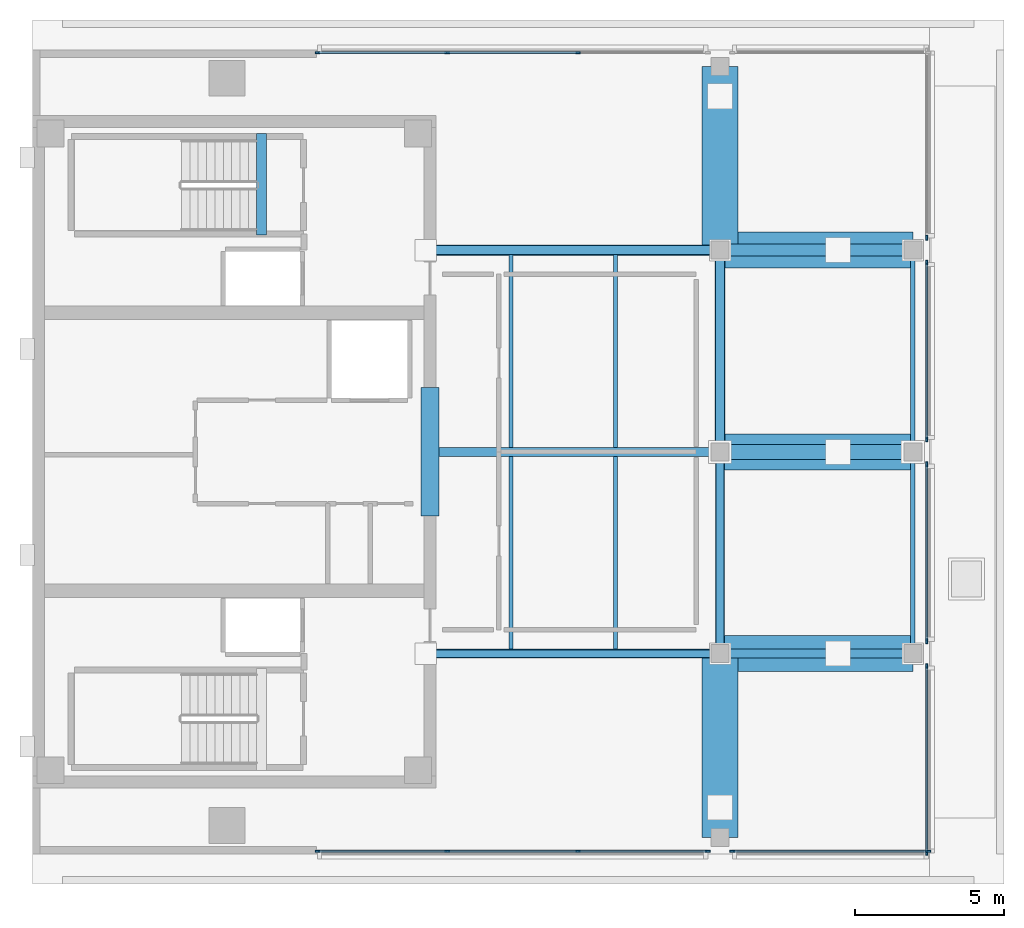
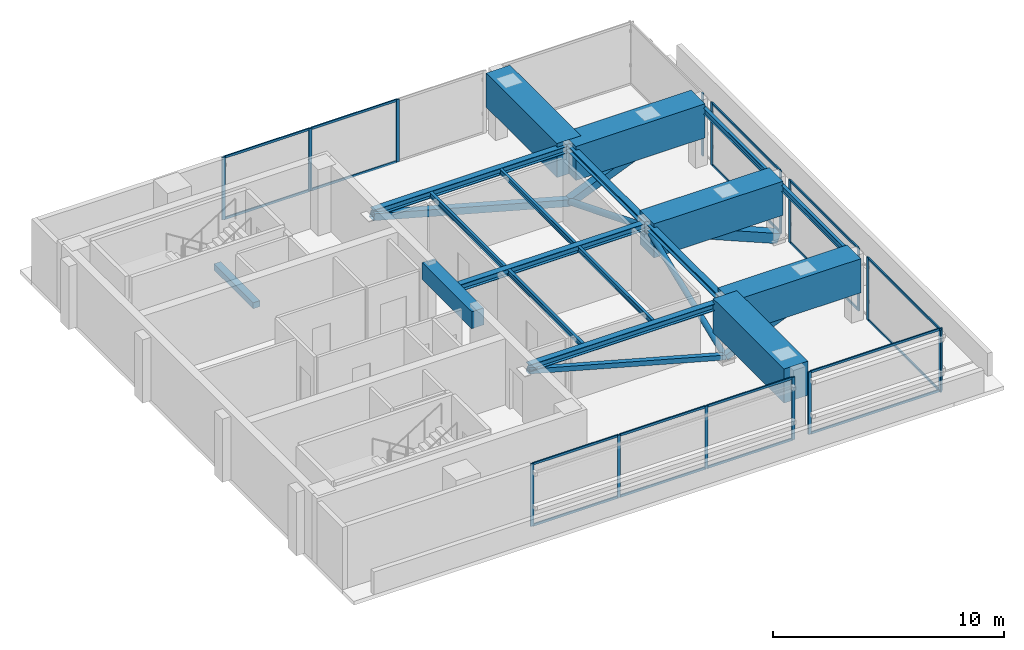
# One storey, part 2 of 9: 41 members, 18 beams, 7 elements without a shape of their own.
"""IFC4 building model written with IfcOpenShell, lengths in metres."""

from ifc_helpers import new_model, si_unit, direction, frame, origin, origin_2d, place, context, subcontext, project, spatial, rectangle, hollow_rectangle, hollow_circle, i_section, extrude, material, layer, layer_set, material_profile, profile_set, type_object, element, aggregate, save


model = new_model("IFC4")

# Units and contexts
model_context = context("Model", 3, precision=1e-05, world=origin(), true_north=direction((0.0, 1.0)))
body_context = subcontext(model_context, "Body", "Model", "MODEL_VIEW")
ifc_project = project(units=[si_unit("LENGTHUNIT", "METRE"), si_unit("AREAUNIT", "SQUARE_METRE"), si_unit("VOLUMEUNIT", "CUBIC_METRE"), si_unit("PLANEANGLEUNIT", "RADIAN"), si_unit("MASSUNIT", "GRAM", prefix="KILO")], contexts=[model_context])

# Site, building, storey
site_placement = place(None, origin())
site = spatial("IfcSite", under=ifc_project, at=site_placement, CompositionType="ELEMENT")
building_placement = place(site_placement, origin())
building = spatial("IfcBuilding", under=site, at=building_placement, Name="Kinhvarn Gate Tower", CompositionType="ELEMENT")
storey_placement = place(building_placement, frame((0.0, 0.0, 314.550048828125)))
storey = spatial("IfcBuildingStorey", under=building, at=storey_placement, Name="L83", CompositionType="ELEMENT", Elevation=314.550048828125)

# Beams
ifc_material_1 = material(Name="Concrete C60/75", Category="concrete")
ifc_material_profile_1 = material_profile(ifc_material_1, rectangle(XDim=0.60009765625, YDim=0.89990234375, at=origin_2d()), Name="RC 600x900")
ifc_profile_set_1 = profile_set([ifc_material_profile_1], Name="Concrete C60/75")
beam_type_1 = type_object("IfcBeamType", Name="BM-CB-900", PredefinedType="LINTEL", material=ifc_profile_set_1)
beam_1_placement = place(storey_placement, frame((17.800048828125, 23.10009765625, 2.849853515625), z_axis=(0.0, 1.0, 0.0), x_axis=(-1.0, 0.0, 0.0)))
element("IfcBeam", 1, at=beam_1_placement, inside=storey, type_object=beam_type_1, Name="Core East Portal Coupling Beam L83", PredefinedType="LINTEL", context=body_context, shape_type="SweptSolid", body=[
    extrude(rectangle(XDim=0.60009765625, YDim=0.89990234375, at=origin_2d()), origin(), (0.0, 0.0, 1.0), 4.2998046875),
])
ifc_material_2 = material(Name="Concrete C50/60", Category="concrete")
ifc_material_profile_2 = material_profile(ifc_material_2, rectangle(XDim=0.340087890625, YDim=0.320068359375, at=origin_2d()), Name="RC 340x320")
ifc_profile_set_2 = profile_set([ifc_material_profile_2], Name="Concrete C50/60")
beam_type_2 = type_object("IfcBeamType", Name="BM-LND-500", PredefinedType="BEAM", material=ifc_profile_set_2)
beam_2_placement = place(storey_placement, frame((12.1650390625, 32.5, -0.16015625), z_axis=(0.0, 1.0, 0.0), x_axis=(-1.0, 0.0, 0.0)))
element("IfcBeam", 2, at=beam_2_placement, inside=storey, type_object=beam_type_2, Name="Stair ST2 Landing Nosing Beam (L83)", PredefinedType="BEAM", context=body_context, shape_type="SweptSolid", body=[
    extrude(rectangle(XDim=0.340087890625, YDim=0.320068359375, at=origin_2d()), origin(), (0.0, 0.0, 1.0), 3.39990234375),
])
ifc_material_profile_3 = material_profile(ifc_material_2, rectangle(XDim=1.199951171875, YDim=1.800048828125, at=origin_2d()), Name="RC 1200x1800")
ifc_profile_set_3 = profile_set([ifc_material_profile_3], Name="Concrete C50/60")
beam_type_3 = type_object("IfcBeamType", Name="BM-TG-1800", PredefinedType="BEAM", material=ifc_profile_set_3)
for number, where, z_axis, x_axis, name in (
    (3, (27.5, 18.5, 2.599853515625), (1.0, 0.0, 0.0), (0.0, 1.0, 0.0), "Setback Transfer Girder TG-03-L84-CCR-E1"),
    (4, (27.5, 25.25, 2.599853515625), (1.0, 0.0, 0.0), (0.0, 1.0, 0.0), "Setback Transfer Girder TG-03-L84-CCR-E2"),
    (5, (27.5, 32.0, 2.599853515625), (1.0, 0.0, 0.0), (0.0, 1.0, 0.0), "Setback Transfer Girder TG-03-L84-CCR-E3"),
):
    element("IfcBeam", number, at=place(storey_placement, frame(where, z_axis=z_axis, x_axis=x_axis)), inside=storey, type_object=beam_type_3, Name=name, PredefinedType="BEAM", context=body_context, shape_type="SweptSolid", body=[
        extrude(rectangle(XDim=1.199951171875, YDim=1.800048828125, at=origin_2d()), origin(), (0.0, 0.0, 1.0), 6.449951171875),
    ])
for number, where, z_axis, x_axis, name in (
    (6, (27.5, 12.35009765625, 2.599853515625), (0.0, 1.0, 0.0), (-1.0, 0.0, 0.0), "Setback Transfer Girder TG-03-L84-CCR-S1"),
    (7, (27.5, 32.0, 2.599853515625), (0.0, 1.0, 0.0), (-1.0, 0.0, 0.0), "Setback Transfer Girder TG-03-L84-CCR-N1"),
):
    element("IfcBeam", number, at=place(storey_placement, frame(where, z_axis=z_axis, x_axis=x_axis)), inside=storey, type_object=beam_type_3, Name=name, PredefinedType="BEAM", context=body_context, shape_type="SweptSolid", body=[
        extrude(rectangle(XDim=1.199951171875, YDim=1.800048828125, at=origin_2d()), origin(), (0.0, 0.0, 1.0), 6.14990234375),
    ])

# Curtain wall, members
ifc_material_3 = material(Name="Anodised aluminium AW-6063", Category="aluminium")
ifc_layer = layer(ifc_material_3, 0.199951171875)
ifc_layer_set = layer_set([ifc_layer], Name="Anodised aluminium AW-6063")
curtain_wall_type = type_object("IfcCurtainWallType", Name="CW-SYS-6", PredefinedType="NOTDEFINED", material=ifc_layer_set)
curtain_wall_1_placement = place(storey_placement, origin())
curtain_wall_1 = element("IfcCurtainWall", 8, at=curtain_wall_1_placement, inside=storey, type_object=curtain_wall_type, Name="Curtain Wall CW6 (L83)", PredefinedType="NOTDEFINED")
ifc_material_profile_4 = material_profile(ifc_material_3, rectangle(XDim=0.06494140625, YDim=0.159912109375, at=origin_2d()), Name="ALU 65x160")
ifc_profile_set_4 = profile_set([ifc_material_profile_4], Name="Anodised aluminium AW-6063")
member_type_1 = type_object("IfcMemberType", Name="CW-MUL-160", PredefinedType="MULLION", material=ifc_profile_set_4)
member_1_placement = place(storey_placement, frame((14.032470703125, 11.889892578125, 0.0), z_axis=(0.0, 0.0, 1.0), x_axis=(0.0, 1.0, 0.0)))
member_1 = element("IfcMember", 9, at=member_1_placement, type_object=member_type_1, Name="CW6 mullion 1", PredefinedType="MULLION", context=body_context, shape_type="SweptSolid", body=[
    extrude(rectangle(XDim=0.06494140625, YDim=0.159912109375, at=origin_2d()), origin(), (0.0, 0.0, 1.0), 3.300048828125),
])
member_2_placement = place(storey_placement, frame((18.373291015625, 11.889892578125, 0.0), z_axis=(0.0, 0.0, 1.0), x_axis=(0.0, 1.0, 0.0)))
member_2 = element("IfcMember", 10, at=member_2_placement, type_object=member_type_1, Name="CW6 mullion 2", PredefinedType="MULLION", context=body_context, shape_type="SweptSolid", body=[
    extrude(rectangle(XDim=0.06494140625, YDim=0.159912109375, at=origin_2d()), origin(), (0.0, 0.0, 1.0), 3.300048828125),
])
member_3_placement = place(storey_placement, frame((22.74658203125, 11.889892578125, 0.0), z_axis=(0.0, 0.0, 1.0), x_axis=(0.0, 1.0, 0.0)))
member_3 = element("IfcMember", 11, at=member_3_placement, type_object=member_type_1, Name="CW6 mullion 3", PredefinedType="MULLION", context=body_context, shape_type="SweptSolid", body=[
    extrude(rectangle(XDim=0.06494140625, YDim=0.159912109375, at=origin_2d()), origin(), (0.0, 0.0, 1.0), 3.300048828125),
])
member_4_placement = place(storey_placement, frame((27.08740234375, 11.889892578125, 0.0), z_axis=(0.0, 0.0, 1.0), x_axis=(0.0, 1.0, 0.0)))
member_4 = element("IfcMember", 12, at=member_4_placement, type_object=member_type_1, Name="CW6 mullion 4", PredefinedType="MULLION", context=body_context, shape_type="SweptSolid", body=[
    extrude(rectangle(XDim=0.06494140625, YDim=0.159912109375, at=origin_2d()), origin(), (0.0, 0.0, 1.0), 3.300048828125),
])

curtain_wall_2_placement = place(storey_placement, origin())
curtain_wall_2 = element("IfcCurtainWall", 13, at=curtain_wall_2_placement, inside=storey, type_object=curtain_wall_type, Name="Curtain Wall CW6 (L83)", PredefinedType="NOTDEFINED")
member_5_placement = place(storey_placement, frame((27.91259765625, 11.889892578125, 0.0), z_axis=(0.0, 0.0, 1.0), x_axis=(0.0, 1.0, 0.0)))
member_5 = element("IfcMember", 14, at=member_5_placement, type_object=member_type_1, Name="CW6 mullion 1", PredefinedType="MULLION", context=body_context, shape_type="SweptSolid", body=[
    extrude(rectangle(XDim=0.06494140625, YDim=0.159912109375, at=origin_2d()), origin(), (0.0, 0.0, 1.0), 3.300048828125),
])
member_6_placement = place(storey_placement, frame((34.467529296875, 11.889892578125, 0.0), z_axis=(0.0, 0.0, 1.0), x_axis=(0.0, 1.0, 0.0)))
member_6 = element("IfcMember", 15, at=member_6_placement, type_object=member_type_1, Name="CW6 mullion 2", PredefinedType="MULLION", context=body_context, shape_type="SweptSolid", body=[
    extrude(rectangle(XDim=0.06494140625, YDim=0.159912109375, at=origin_2d()), origin(), (0.0, 0.0, 1.0), 3.300048828125),
])

curtain_wall_3_placement = place(storey_placement, origin())
curtain_wall_3 = element("IfcCurtainWall", 16, at=curtain_wall_3_placement, inside=storey, type_object=curtain_wall_type, Name="Curtain Wall CW6 (L83)", PredefinedType="NOTDEFINED")
member_7_placement = place(storey_placement, frame((22.74658203125, 38.610107421875, 0.0), z_axis=(0.0, 0.0, 1.0), x_axis=(0.0, -1.0, 0.0)))
member_7 = element("IfcMember", 17, at=member_7_placement, type_object=member_type_1, Name="CW6 mullion 2", PredefinedType="MULLION", context=body_context, shape_type="SweptSolid", body=[
    extrude(rectangle(XDim=0.06494140625, YDim=0.159912109375, at=origin_2d()), origin(), (0.0, 0.0, 1.0), 3.300048828125),
])
member_8_placement = place(storey_placement, frame((18.373291015625, 38.610107421875, 0.0), z_axis=(0.0, 0.0, 1.0), x_axis=(0.0, -1.0, 0.0)))
member_8 = element("IfcMember", 18, at=member_8_placement, type_object=member_type_1, Name="CW6 mullion 3", PredefinedType="MULLION", context=body_context, shape_type="SweptSolid", body=[
    extrude(rectangle(XDim=0.06494140625, YDim=0.159912109375, at=origin_2d()), origin(), (0.0, 0.0, 1.0), 3.300048828125),
])
member_9_placement = place(storey_placement, frame((14.032470703125, 38.610107421875, 0.0), z_axis=(0.0, 0.0, 1.0), x_axis=(0.0, -1.0, 0.0)))
member_9 = element("IfcMember", 19, at=member_9_placement, type_object=member_type_1, Name="CW6 mullion 4", PredefinedType="MULLION", context=body_context, shape_type="SweptSolid", body=[
    extrude(rectangle(XDim=0.06494140625, YDim=0.159912109375, at=origin_2d()), origin(), (0.0, 0.0, 1.0), 3.300048828125),
])

curtain_wall_4_placement = place(storey_placement, origin())
curtain_wall_4 = element("IfcCurtainWall", 20, at=curtain_wall_4_placement, inside=storey, type_object=curtain_wall_type, Name="Curtain Wall CW6 (L83)", PredefinedType="NOTDEFINED")
member_10_placement = place(storey_placement, frame((34.409912109375, 11.83251953125, 0.0), z_axis=(0.0, 0.0, 1.0), x_axis=(-1.0, 0.0, 0.0)))
member_10 = element("IfcMember", 21, at=member_10_placement, type_object=member_type_1, Name="CW6 mullion 1", PredefinedType="MULLION", context=body_context, shape_type="SweptSolid", body=[
    extrude(rectangle(XDim=0.06494140625, YDim=0.159912109375, at=origin_2d()), origin(), (0.0, 0.0, 1.0), 3.300048828125),
])
member_11_placement = place(storey_placement, frame((34.409912109375, 18.08740234375, 0.0), z_axis=(0.0, 0.0, 1.0), x_axis=(-1.0, 0.0, 0.0)))
member_11 = element("IfcMember", 22, at=member_11_placement, type_object=member_type_1, Name="CW6 mullion 2", PredefinedType="MULLION", context=body_context, shape_type="SweptSolid", body=[
    extrude(rectangle(XDim=0.06494140625, YDim=0.159912109375, at=origin_2d()), origin(), (0.0, 0.0, 1.0), 3.300048828125),
])

curtain_wall_5_placement = place(storey_placement, origin())
curtain_wall_5 = element("IfcCurtainWall", 23, at=curtain_wall_5_placement, inside=storey, type_object=curtain_wall_type, Name="Curtain Wall CW6 (L83)", PredefinedType="NOTDEFINED")
member_12_placement = place(storey_placement, frame((34.409912109375, 18.91259765625, 0.0), z_axis=(0.0, 0.0, 1.0), x_axis=(-1.0, 0.0, 0.0)))
member_12 = element("IfcMember", 24, at=member_12_placement, type_object=member_type_1, Name="CW6 mullion 1", PredefinedType="MULLION", context=body_context, shape_type="SweptSolid", body=[
    extrude(rectangle(XDim=0.06494140625, YDim=0.159912109375, at=origin_2d()), origin(), (0.0, 0.0, 1.0), 3.300048828125),
])
member_13_placement = place(storey_placement, frame((34.409912109375, 24.83740234375, 0.0), z_axis=(0.0, 0.0, 1.0), x_axis=(-1.0, 0.0, 0.0)))
member_13 = element("IfcMember", 25, at=member_13_placement, type_object=member_type_1, Name="CW6 mullion 2", PredefinedType="MULLION", context=body_context, shape_type="SweptSolid", body=[
    extrude(rectangle(XDim=0.06494140625, YDim=0.159912109375, at=origin_2d()), origin(), (0.0, 0.0, 1.0), 3.300048828125),
])

curtain_wall_6_placement = place(storey_placement, origin())
curtain_wall_6 = element("IfcCurtainWall", 26, at=curtain_wall_6_placement, inside=storey, type_object=curtain_wall_type, Name="Curtain Wall CW6 (L83)", PredefinedType="NOTDEFINED")
member_14_placement = place(storey_placement, frame((34.409912109375, 25.66259765625, 0.0), z_axis=(0.0, 0.0, 1.0), x_axis=(-1.0, 0.0, 0.0)))
member_14 = element("IfcMember", 27, at=member_14_placement, type_object=member_type_1, Name="CW6 mullion 1", PredefinedType="MULLION", context=body_context, shape_type="SweptSolid", body=[
    extrude(rectangle(XDim=0.06494140625, YDim=0.159912109375, at=origin_2d()), origin(), (0.0, 0.0, 1.0), 3.300048828125),
])
member_15_placement = place(storey_placement, frame((34.409912109375, 31.58740234375, 0.0), z_axis=(0.0, 0.0, 1.0), x_axis=(-1.0, 0.0, 0.0)))
member_15 = element("IfcMember", 28, at=member_15_placement, type_object=member_type_1, Name="CW6 mullion 2", PredefinedType="MULLION", context=body_context, shape_type="SweptSolid", body=[
    extrude(rectangle(XDim=0.06494140625, YDim=0.159912109375, at=origin_2d()), origin(), (0.0, 0.0, 1.0), 3.300048828125),
])

# Curtain wall, member
curtain_wall_7_placement = place(storey_placement, origin())
curtain_wall_7 = element("IfcCurtainWall", 29, at=curtain_wall_7_placement, inside=storey, type_object=curtain_wall_type, Name="Curtain Wall CW6 (L83)", PredefinedType="NOTDEFINED")
member_16_placement = place(storey_placement, frame((34.409912109375, 32.41259765625, 0.0), z_axis=(0.0, 0.0, 1.0), x_axis=(-1.0, 0.0, 0.0)))
member_16 = element("IfcMember", 30, at=member_16_placement, type_object=member_type_1, Name="CW6 mullion 1", PredefinedType="MULLION", context=body_context, shape_type="SweptSolid", body=[
    extrude(rectangle(XDim=0.06494140625, YDim=0.159912109375, at=origin_2d()), origin(), (0.0, 0.0, 1.0), 3.300048828125),
])
aggregate(curtain_wall_7, [member_16])

# Member
ifc_material_profile_5 = material_profile(ifc_material_3, rectangle(XDim=0.06494140625, YDim=0.1201171875, at=origin_2d()), Name="ALU 65x120")
ifc_profile_set_5 = profile_set([ifc_material_profile_5], Name="Anodised aluminium AW-6063")
member_type_2 = type_object("IfcMemberType", Name="CW-TRN-120", PredefinedType="USERDEFINED", material=ifc_profile_set_5)
member_17_placement = place(storey_placement, frame((14.06494140625, 11.889892578125, 0.032470703125), z_axis=(1.0, 0.0, 0.0), x_axis=(0.0, 1.0, 0.0)))
member_17 = element("IfcMember", 31, at=member_17_placement, type_object=member_type_2, Name="CW6 transom 1.1", ObjectType="TRANSOM", PredefinedType="USERDEFINED", context=body_context, shape_type="SweptSolid", body=[
    extrude(rectangle(XDim=0.06494140625, YDim=0.1201171875, at=origin_2d()), origin(), (0.0, 0.0, 1.0), 4.27587890625),
])

member_18_placement = place(storey_placement, frame((14.06494140625, 11.889892578125, 3.267333984375), z_axis=(1.0, 0.0, 0.0), x_axis=(0.0, 1.0, 0.0)))
member_18 = element("IfcMember", 32, at=member_18_placement, type_object=member_type_2, Name="CW6 transom 1.2", ObjectType="TRANSOM", PredefinedType="USERDEFINED", context=body_context, shape_type="SweptSolid", body=[
    extrude(rectangle(XDim=0.06494140625, YDim=0.1201171875, at=origin_2d()), origin(), (0.0, 0.0, 1.0), 4.27587890625),
])

member_19_placement = place(storey_placement, frame((18.40576171875, 11.889892578125, 0.032470703125), z_axis=(1.0, 0.0, 0.0), x_axis=(0.0, 1.0, 0.0)))
member_19 = element("IfcMember", 33, at=member_19_placement, type_object=member_type_2, Name="CW6 transom 2.1", ObjectType="TRANSOM", PredefinedType="USERDEFINED", context=body_context, shape_type="SweptSolid", body=[
    extrude(rectangle(XDim=0.06494140625, YDim=0.1201171875, at=origin_2d()), origin(), (0.0, 0.0, 1.0), 4.308349609375),
])

member_20_placement = place(storey_placement, frame((18.40576171875, 11.889892578125, 3.267333984375), z_axis=(1.0, 0.0, 0.0), x_axis=(0.0, 1.0, 0.0)))
member_20 = element("IfcMember", 34, at=member_20_placement, type_object=member_type_2, Name="CW6 transom 2.2", ObjectType="TRANSOM", PredefinedType="USERDEFINED", context=body_context, shape_type="SweptSolid", body=[
    extrude(rectangle(XDim=0.06494140625, YDim=0.1201171875, at=origin_2d()), origin(), (0.0, 0.0, 1.0), 4.308349609375),
])

member_21_placement = place(storey_placement, frame((22.779052734375, 11.889892578125, 0.032470703125), z_axis=(1.0, 0.0, 0.0), x_axis=(0.0, 1.0, 0.0)))
member_21 = element("IfcMember", 35, at=member_21_placement, type_object=member_type_2, Name="CW6 transom 3.1", ObjectType="TRANSOM", PredefinedType="USERDEFINED", context=body_context, shape_type="SweptSolid", body=[
    extrude(rectangle(XDim=0.06494140625, YDim=0.1201171875, at=origin_2d()), origin(), (0.0, 0.0, 1.0), 4.27587890625),
])

member_22_placement = place(storey_placement, frame((22.779052734375, 11.889892578125, 3.267333984375), z_axis=(1.0, 0.0, 0.0), x_axis=(0.0, 1.0, 0.0)))
member_22 = element("IfcMember", 36, at=member_22_placement, type_object=member_type_2, Name="CW6 transom 3.2", ObjectType="TRANSOM", PredefinedType="USERDEFINED", context=body_context, shape_type="SweptSolid", body=[
    extrude(rectangle(XDim=0.06494140625, YDim=0.1201171875, at=origin_2d()), origin(), (0.0, 0.0, 1.0), 4.27587890625),
])

aggregate(curtain_wall_1, [member_1, member_2, member_3, member_4, member_17, member_18, member_19, member_20, member_21, member_22])

member_23_placement = place(storey_placement, frame((27.945068359375, 11.889892578125, 0.032470703125), z_axis=(1.0, 0.0, 0.0), x_axis=(0.0, 1.0, 0.0)))
member_23 = element("IfcMember", 37, at=member_23_placement, type_object=member_type_2, Name="CW6 transom 1.1", ObjectType="TRANSOM", PredefinedType="USERDEFINED", context=body_context, shape_type="SweptSolid", body=[
    extrude(rectangle(XDim=0.06494140625, YDim=0.1201171875, at=origin_2d()), origin(), (0.0, 0.0, 1.0), 6.489990234375),
])

member_24_placement = place(storey_placement, frame((27.945068359375, 11.889892578125, 3.267333984375), z_axis=(1.0, 0.0, 0.0), x_axis=(0.0, 1.0, 0.0)))
member_24 = element("IfcMember", 38, at=member_24_placement, type_object=member_type_2, Name="CW6 transom 1.2", ObjectType="TRANSOM", PredefinedType="USERDEFINED", context=body_context, shape_type="SweptSolid", body=[
    extrude(rectangle(XDim=0.06494140625, YDim=0.1201171875, at=origin_2d()), origin(), (0.0, 0.0, 1.0), 6.489990234375),
])

aggregate(curtain_wall_2, [member_5, member_6, member_23, member_24])

member_25_placement = place(storey_placement, frame((22.714111328125, 38.610107421875, 0.032470703125), z_axis=(-1.0, 0.0, 0.0), x_axis=(0.0, -1.0, 0.0)))
member_25 = element("IfcMember", 39, at=member_25_placement, type_object=member_type_2, Name="CW6 transom 2.1", ObjectType="TRANSOM", PredefinedType="USERDEFINED", context=body_context, shape_type="SweptSolid", body=[
    extrude(rectangle(XDim=0.06494140625, YDim=0.1201171875, at=origin_2d()), origin(), (0.0, 0.0, 1.0), 4.308349609375),
])

member_26_placement = place(storey_placement, frame((22.714111328125, 38.610107421875, 3.267333984375), z_axis=(-1.0, 0.0, 0.0), x_axis=(0.0, -1.0, 0.0)))
member_26 = element("IfcMember", 40, at=member_26_placement, type_object=member_type_2, Name="CW6 transom 2.2", ObjectType="TRANSOM", PredefinedType="USERDEFINED", context=body_context, shape_type="SweptSolid", body=[
    extrude(rectangle(XDim=0.06494140625, YDim=0.1201171875, at=origin_2d()), origin(), (0.0, 0.0, 1.0), 4.308349609375),
])

member_27_placement = place(storey_placement, frame((18.3408203125, 38.610107421875, 0.032470703125), z_axis=(-1.0, 0.0, 0.0), x_axis=(0.0, -1.0, 0.0)))
member_27 = element("IfcMember", 41, at=member_27_placement, type_object=member_type_2, Name="CW6 transom 3.1", ObjectType="TRANSOM", PredefinedType="USERDEFINED", context=body_context, shape_type="SweptSolid", body=[
    extrude(rectangle(XDim=0.06494140625, YDim=0.1201171875, at=origin_2d()), origin(), (0.0, 0.0, 1.0), 4.27587890625),
])

member_28_placement = place(storey_placement, frame((18.3408203125, 38.610107421875, 3.267333984375), z_axis=(-1.0, 0.0, 0.0), x_axis=(0.0, -1.0, 0.0)))
member_28 = element("IfcMember", 42, at=member_28_placement, type_object=member_type_2, Name="CW6 transom 3.2", ObjectType="TRANSOM", PredefinedType="USERDEFINED", context=body_context, shape_type="SweptSolid", body=[
    extrude(rectangle(XDim=0.06494140625, YDim=0.1201171875, at=origin_2d()), origin(), (0.0, 0.0, 1.0), 4.27587890625),
])

aggregate(curtain_wall_3, [member_7, member_8, member_9, member_25, member_26, member_27, member_28])

member_29_placement = place(storey_placement, frame((34.409912109375, 11.864990234375, 0.032470703125), z_axis=(0.0, 1.0, 0.0), x_axis=(-1.0, 0.0, 0.0)))
member_29 = element("IfcMember", 43, at=member_29_placement, type_object=member_type_2, Name="CW6 transom 1.1", ObjectType="TRANSOM", PredefinedType="USERDEFINED", context=body_context, shape_type="SweptSolid", body=[
    extrude(rectangle(XDim=0.06494140625, YDim=0.1201171875, at=origin_2d()), origin(), (0.0, 0.0, 1.0), 6.18994140625),
])

member_30_placement = place(storey_placement, frame((34.409912109375, 11.864990234375, 3.267333984375), z_axis=(0.0, 1.0, 0.0), x_axis=(-1.0, 0.0, 0.0)))
member_30 = element("IfcMember", 44, at=member_30_placement, type_object=member_type_2, Name="CW6 transom 1.2", ObjectType="TRANSOM", PredefinedType="USERDEFINED", context=body_context, shape_type="SweptSolid", body=[
    extrude(rectangle(XDim=0.06494140625, YDim=0.1201171875, at=origin_2d()), origin(), (0.0, 0.0, 1.0), 6.18994140625),
])

aggregate(curtain_wall_4, [member_10, member_11, member_29, member_30])

member_31_placement = place(storey_placement, frame((34.409912109375, 18.945068359375, 0.032470703125), z_axis=(0.0, 1.0, 0.0), x_axis=(-1.0, 0.0, 0.0)))
member_31 = element("IfcMember", 45, at=member_31_placement, type_object=member_type_2, Name="CW6 transom 1.1", ObjectType="TRANSOM", PredefinedType="USERDEFINED", context=body_context, shape_type="SweptSolid", body=[
    extrude(rectangle(XDim=0.06494140625, YDim=0.1201171875, at=origin_2d()), origin(), (0.0, 0.0, 1.0), 5.85986328125),
])

member_32_placement = place(storey_placement, frame((34.409912109375, 18.945068359375, 3.267333984375), z_axis=(0.0, 1.0, 0.0), x_axis=(-1.0, 0.0, 0.0)))
member_32 = element("IfcMember", 46, at=member_32_placement, type_object=member_type_2, Name="CW6 transom 1.2", ObjectType="TRANSOM", PredefinedType="USERDEFINED", context=body_context, shape_type="SweptSolid", body=[
    extrude(rectangle(XDim=0.06494140625, YDim=0.1201171875, at=origin_2d()), origin(), (0.0, 0.0, 1.0), 5.85986328125),
])

aggregate(curtain_wall_5, [member_12, member_13, member_31, member_32])

member_33_placement = place(storey_placement, frame((34.409912109375, 25.695068359375, 0.032470703125), z_axis=(0.0, 1.0, 0.0), x_axis=(-1.0, 0.0, 0.0)))
member_33 = element("IfcMember", 47, at=member_33_placement, type_object=member_type_2, Name="CW6 transom 1.1", ObjectType="TRANSOM", PredefinedType="USERDEFINED", context=body_context, shape_type="SweptSolid", body=[
    extrude(rectangle(XDim=0.06494140625, YDim=0.1201171875, at=origin_2d()), origin(), (0.0, 0.0, 1.0), 5.85986328125),
])

member_34_placement = place(storey_placement, frame((34.409912109375, 25.695068359375, 3.267333984375), z_axis=(0.0, 1.0, 0.0), x_axis=(-1.0, 0.0, 0.0)))
member_34 = element("IfcMember", 48, at=member_34_placement, type_object=member_type_2, Name="CW6 transom 1.2", ObjectType="TRANSOM", PredefinedType="USERDEFINED", context=body_context, shape_type="SweptSolid", body=[
    extrude(rectangle(XDim=0.06494140625, YDim=0.1201171875, at=origin_2d()), origin(), (0.0, 0.0, 1.0), 5.85986328125),
])

aggregate(curtain_wall_6, [member_14, member_15, member_33, member_34])

# Members
ifc_material_4 = material(Name="Steel S355", Category="steel")
ifc_material_profile_6 = material_profile(ifc_material_4, hollow_circle(Radius=0.136474609375, WallThickness=0.011962890625, at=origin_2d()), Name="CHS 273x12")
ifc_profile_set_6 = profile_set([ifc_material_profile_6], Name="Steel S355")
member_type_3 = type_object("IfcMemberType", Name="MBR-CHS273x12", PredefinedType="BRACE", material=ifc_profile_set_6)
member_35_placement = place(storey_placement, frame((27.5, 18.5, 0.25), z_axis=(0.0, 0.928479006877, 0.371384886323), x_axis=(-1.0, 0.0, 0.0)))
element("IfcMember", 49, at=member_35_placement, inside=storey, type_object=member_type_3, Name="Crown Frame Strut BR-11 (CHS 273x12)", PredefinedType="BRACE", context=body_context, shape_type="SweptSolid", body=[
    extrude(hollow_circle(Radius=0.136474609375, WallThickness=0.011962890625, at=origin_2d()), origin(), (0.0, 0.0, 1.0), 7.27001953125),
])
ifc_material_profile_7 = material_profile(ifc_material_4, hollow_circle(Radius=0.161865234375, WallThickness=0.01611328125, at=origin_2d()), Name="CHS 323.9x16")
ifc_profile_set_7 = profile_set([ifc_material_profile_7], Name="Steel S355")
member_type_4 = type_object("IfcMemberType", Name="MBR-CHS323_9x16", PredefinedType="BRACE", material=ifc_profile_set_7)
member_36_placement = place(storey_placement, frame((27.5, 25.25, 2.949951171875), z_axis=(0.0, 0.928479006877, -0.371384886323), x_axis=(-1.0, 0.0, 0.0)))
element("IfcMember", 50, at=member_36_placement, inside=storey, type_object=member_type_4, Name="Crown Frame Strut BR-12 (CHS 323.9x16)", PredefinedType="BRACE", context=body_context, shape_type="SweptSolid", body=[
    extrude(hollow_circle(Radius=0.161865234375, WallThickness=0.01611328125, at=origin_2d()), origin(), (0.0, 0.0, 1.0), 7.27001953125),
])
ifc_material_profile_8 = material_profile(ifc_material_4, hollow_rectangle(XDim=0.25, YDim=0.25, WallThickness=0.011962890625, at=origin_2d()), Name="SHS 250x250x12")
ifc_profile_set_8 = profile_set([ifc_material_profile_8], Name="Steel S355")
member_type_5 = type_object("IfcMemberType", Name="MBR-SHS250x250x12", PredefinedType="BRACE", material=ifc_profile_set_8)
member_37_placement = place(storey_placement, frame((17.64990234375, 18.5, 2.949951171875), z_axis=(0.964425984985, 0.0, -0.264353020571), x_axis=(0.0, 1.0, 0.0)))
element("IfcMember", 51, at=member_37_placement, inside=storey, type_object=member_type_5, Name="Crown Frame Strut BR-06 (SHS 250x250x12)", PredefinedType="BRACE", context=body_context, shape_type="SweptSolid", body=[
    extrude(hollow_rectangle(XDim=0.25, YDim=0.25, WallThickness=0.011962890625, at=origin_2d()), origin(), (0.0, 0.0, 1.0), 10.21337890625),
])
ifc_material_profile_9 = material_profile(ifc_material_4, hollow_rectangle(XDim=0.300048828125, YDim=0.300048828125, WallThickness=0.01611328125, at=origin_2d()), Name="SHS 300x300x16")
ifc_profile_set_9 = profile_set([ifc_material_profile_9], Name="Steel S355")
member_type_6 = type_object("IfcMemberType", Name="MBR-SHS300x300x16", PredefinedType="BRACE", material=ifc_profile_set_9)
member_38_placement = place(storey_placement, frame((27.5, 18.5, 0.25), z_axis=(0.922442434419, 0.0, 0.386134633493), x_axis=(0.0, 1.0, 0.0)))
element("IfcMember", 52, at=member_38_placement, inside=storey, type_object=member_type_6, Name="Crown Frame Strut BR-07 (SHS 300x300x16)", PredefinedType="BRACE", context=body_context, shape_type="SweptSolid", body=[
    extrude(hollow_rectangle(XDim=0.300048828125, YDim=0.300048828125, WallThickness=0.01611328125, at=origin_2d()), origin(), (0.0, 0.0, 1.0), 6.9921875),
])
ifc_material_profile_10 = material_profile(ifc_material_4, hollow_rectangle(XDim=0.35009765625, YDim=0.35009765625, WallThickness=0.01611328125, at=origin_2d()), Name="SHS 350x350x16")
ifc_profile_set_10 = profile_set([ifc_material_profile_10], Name="Steel S355")
member_type_7 = type_object("IfcMemberType", Name="MBR-SHS350x350x16", PredefinedType="BRACE", material=ifc_profile_set_10)
member_39_placement = place(storey_placement, frame((17.64990234375, 32.0, 2.949951171875), z_axis=(0.964425984985, 0.0, -0.264353020571), x_axis=(0.0, 1.0, 0.0)))
element("IfcMember", 53, at=member_39_placement, inside=storey, type_object=member_type_7, Name="Crown Frame Strut BR-08 (SHS 350x350x16)", PredefinedType="BRACE", context=body_context, shape_type="SweptSolid", body=[
    extrude(hollow_rectangle(XDim=0.35009765625, YDim=0.35009765625, WallThickness=0.01611328125, at=origin_2d()), origin(), (0.0, 0.0, 1.0), 10.21337890625),
])
ifc_material_profile_11 = material_profile(ifc_material_4, hollow_rectangle(XDim=0.39990234375, YDim=0.39990234375, WallThickness=0.02001953125, at=origin_2d()), Name="SHS 400x400x20")
ifc_profile_set_11 = profile_set([ifc_material_profile_11], Name="Steel S355")
member_type_8 = type_object("IfcMemberType", Name="MBR-SHS400x400x20", PredefinedType="BRACE", material=ifc_profile_set_11)
member_40_placement = place(storey_placement, frame((27.5, 32.0, 0.25), z_axis=(0.922442434419, 0.0, 0.386134633493), x_axis=(0.0, 1.0, 0.0)))
element("IfcMember", 54, at=member_40_placement, inside=storey, type_object=member_type_8, Name="Crown Frame Strut BR-09 (SHS 400x400x20)", PredefinedType="BRACE", context=body_context, shape_type="SweptSolid", body=[
    extrude(hollow_rectangle(XDim=0.39990234375, YDim=0.39990234375, WallThickness=0.02001953125, at=origin_2d()), origin(), (0.0, 0.0, 1.0), 6.9921875),
])
ifc_material_profile_12 = material_profile(ifc_material_4, hollow_rectangle(XDim=0.5, YDim=0.5, WallThickness=0.02490234375, at=origin_2d()), Name="SHS 500x500x25")
ifc_profile_set_12 = profile_set([ifc_material_profile_12], Name="Steel S355")
member_type_9 = type_object("IfcMemberType", Name="MBR-SHS500x500x25", PredefinedType="BRACE", material=ifc_profile_set_12)
member_41_placement = place(storey_placement, frame((27.5, 25.25, 2.949951171875), z_axis=(0.922442434419, 0.0, -0.386134633493), x_axis=(0.0, 1.0, 0.0)))
element("IfcMember", 55, at=member_41_placement, inside=storey, type_object=member_type_9, Name="Crown Frame Strut BR-10 (SHS 500x500x25)", PredefinedType="BRACE", context=body_context, shape_type="SweptSolid", body=[
    extrude(hollow_rectangle(XDim=0.5, YDim=0.5, WallThickness=0.02490234375, at=origin_2d()), origin(), (0.0, 0.0, 1.0), 6.9921875),
])

# Beams
ifc_material_profile_13 = material_profile(ifc_material_4, i_section(OverallWidth=0.300048828125, OverallDepth=0.300048828125, WebThickness=0.010986328125, FlangeThickness=0.01904296875, at=origin_2d()), Name="HEB 300")
ifc_profile_set_13 = profile_set([ifc_material_profile_13], Name="Steel S355")
beam_type_4 = type_object("IfcBeamType", Name="STL-HEB300", PredefinedType="BEAM", material=ifc_profile_set_13)
for number, where, z_axis, x_axis, name in (
    (56, (27.5, 18.5, 3.14990234375), (0.0, 1.0, 0.0), (-1.0, 0.0, 0.0), "Floor Beam PG-10 (L83 CR-NS-M1)"),
    (57, (27.5, 25.25, 3.14990234375), (0.0, 1.0, 0.0), (-1.0, 0.0, 0.0), "Floor Beam PG-10 (L83 CR-NS-M2)"),
):
    element("IfcBeam", number, at=place(storey_placement, frame(where, z_axis=z_axis, x_axis=x_axis)), inside=storey, type_object=beam_type_4, Name=name, PredefinedType="BEAM", context=body_context, shape_type="SweptSolid", body=[
        extrude(i_section(OverallWidth=0.300048828125, OverallDepth=0.300048828125, WebThickness=0.010986328125, FlangeThickness=0.01904296875, at=origin_2d()), origin(), (0.0, 0.0, 1.0), 6.75),
    ])
ifc_material_profile_14 = material_profile(ifc_material_4, i_section(OverallWidth=0.300048828125, OverallDepth=0.360107421875, WebThickness=0.012451171875, FlangeThickness=0.0224609375, at=origin_2d()), Name="HEB 360")
ifc_profile_set_14 = profile_set([ifc_material_profile_14], Name="Steel S355")
beam_type_5 = type_object("IfcBeamType", Name="STL-HEB360", PredefinedType="BEAM", material=ifc_profile_set_14)
beam_3_placement = place(storey_placement, frame((17.64990234375, 18.5, 3.119873046875), z_axis=(1.0, 0.0, 0.0), x_axis=(0.0, 1.0, 0.0)))
element("IfcBeam", 58, at=beam_3_placement, inside=storey, type_object=beam_type_5, Name="Floor Beam PG-11 (L83 CR-EW1-18)", PredefinedType="BEAM", context=body_context, shape_type="SweptSolid", body=[
    extrude(i_section(OverallWidth=0.300048828125, OverallDepth=0.360107421875, WebThickness=0.012451171875, FlangeThickness=0.0224609375, at=origin_2d()), origin(), (0.0, 0.0, 1.0), 9.85009765625),
])
beam_4_placement = place(storey_placement, frame((18.10009765625, 25.25, 3.119873046875), z_axis=(1.0, 0.0, 0.0), x_axis=(0.0, 1.0, 0.0)))
element("IfcBeam", 59, at=beam_4_placement, inside=storey, type_object=beam_type_5, Name="Floor Beam PG-11 (L83 CR-EW1-25)", PredefinedType="BEAM", context=body_context, shape_type="SweptSolid", body=[
    extrude(i_section(OverallWidth=0.300048828125, OverallDepth=0.360107421875, WebThickness=0.012451171875, FlangeThickness=0.0224609375, at=origin_2d()), origin(), (0.0, 0.0, 1.0), 9.39990234375),
])
beam_5_placement = place(storey_placement, frame((17.64990234375, 32.0, 3.119873046875), z_axis=(1.0, 0.0, 0.0), x_axis=(0.0, 1.0, 0.0)))
element("IfcBeam", 60, at=beam_5_placement, inside=storey, type_object=beam_type_5, Name="Floor Beam PG-11 (L83 CR-EW1-32)", PredefinedType="BEAM", context=body_context, shape_type="SweptSolid", body=[
    extrude(i_section(OverallWidth=0.300048828125, OverallDepth=0.360107421875, WebThickness=0.012451171875, FlangeThickness=0.0224609375, at=origin_2d()), origin(), (0.0, 0.0, 1.0), 9.85009765625),
])
ifc_material_profile_15 = material_profile(ifc_material_4, i_section(OverallWidth=0.135009765625, OverallDepth=0.27001953125, WebThickness=0.006591796875, FlangeThickness=0.01025390625, at=origin_2d()), Name="IPE 270")
ifc_profile_set_15 = profile_set([ifc_material_profile_15], Name="Steel S355")
beam_type_6 = type_object("IfcBeamType", Name="STL-IPE270", PredefinedType="JOIST", material=ifc_profile_set_15)
for number, where, z_axis, x_axis, name in (
    (61, (20.5, 18.64990234375, 3.1650390625), (0.0, 1.0, 0.0), (-1.0, 0.0, 0.0), "Floor Joist SB-01 (L83 CR-J1-205)"),
    (62, (20.5, 25.39990234375, 3.1650390625), (0.0, 1.0, 0.0), (-1.0, 0.0, 0.0), "Floor Joist SB-01 (L83 CR-J2-205)"),
    (63, (24.0, 18.64990234375, 3.1650390625), (0.0, 1.0, 0.0), (-1.0, 0.0, 0.0), "Floor Joist SB-01 (L83 CR-J1-240)"),
    (64, (24.0, 25.39990234375, 3.1650390625), (0.0, 1.0, 0.0), (-1.0, 0.0, 0.0), "Floor Joist SB-01 (L83 CR-J2-240)"),
):
    element("IfcBeam", number, at=place(storey_placement, frame(where, z_axis=z_axis, x_axis=x_axis)), inside=storey, type_object=beam_type_6, Name=name, PredefinedType="JOIST", context=body_context, shape_type="SweptSolid", body=[
        extrude(i_section(OverallWidth=0.135009765625, OverallDepth=0.27001953125, WebThickness=0.006591796875, FlangeThickness=0.01025390625, at=origin_2d()), origin(), (0.0, 0.0, 1.0), 6.4501953125),
    ])
ifc_material_profile_16 = material_profile(ifc_material_4, i_section(OverallWidth=0.159912109375, OverallDepth=0.330078125, WebThickness=0.007568359375, FlangeThickness=0.011474609375, at=origin_2d()), Name="IPE 330")
ifc_profile_set_16 = profile_set([ifc_material_profile_16], Name="Steel S355")
beam_type_7 = type_object("IfcBeamType", Name="STL-IPE330", PredefinedType="JOIST", material=ifc_profile_set_16)
for number, where, z_axis, x_axis, name in (
    (65, (33.949951171875, 18.5, 3.135009765625), (0.0, 1.0, 0.0), (-1.0, 0.0, 0.0), "Floor Joist SB-03 (L83 CR-SPE1)"),
    (66, (33.949951171875, 25.25, 3.135009765625), (0.0, 1.0, 0.0), (-1.0, 0.0, 0.0), "Floor Joist SB-03 (L83 CR-SPE2)"),
):
    element("IfcBeam", number, at=place(storey_placement, frame(where, z_axis=z_axis, x_axis=x_axis)), inside=storey, type_object=beam_type_7, Name=name, PredefinedType="JOIST", context=body_context, shape_type="SweptSolid", body=[
        extrude(i_section(OverallWidth=0.159912109375, OverallDepth=0.330078125, WebThickness=0.007568359375, FlangeThickness=0.011474609375, at=origin_2d()), origin(), (0.0, 0.0, 1.0), 6.75),
    ])

save(model, "model.ifc")
